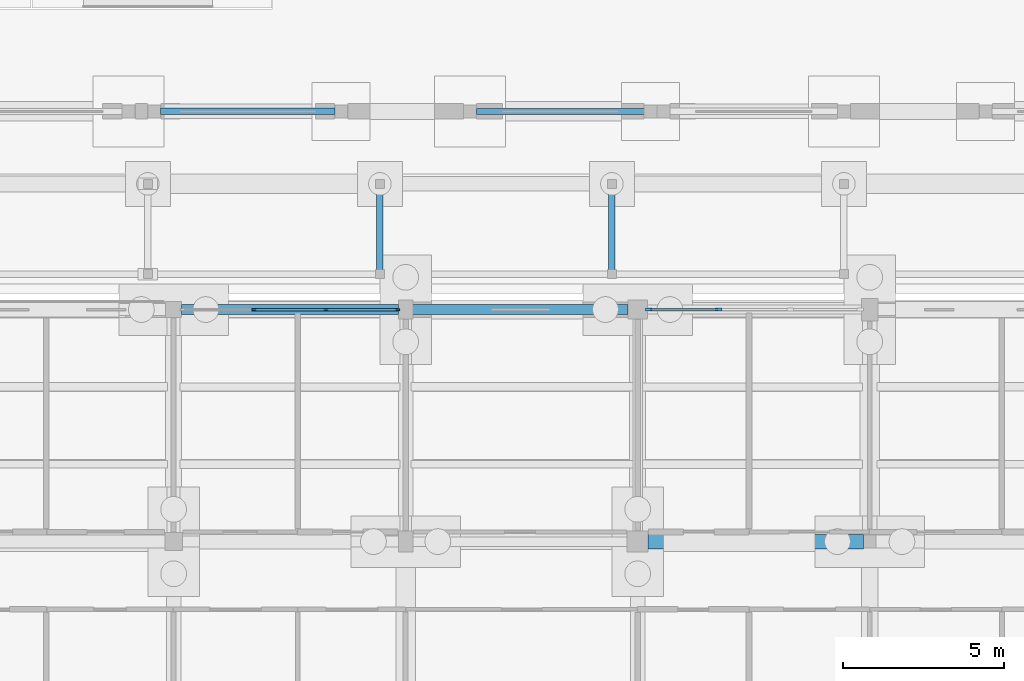
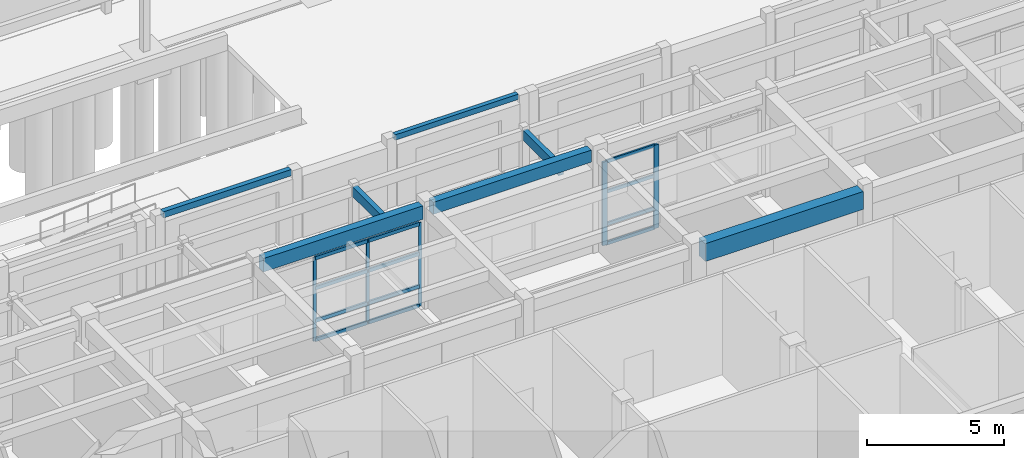
# One storey, part 45 of 143: 17 members, 7 beams, 2 elements without a shape of their own.
"""IFC4 building model written with IfcOpenShell, lengths in metres."""

from ifc_helpers import new_model, si_unit, direction, frame, origin, origin_2d, place, context, subcontext, project, spatial, rectangle, extrude, material, material_profile, profile_set, type_object, element, aggregate, save


model = new_model("IFC4")

# Units and contexts
model_context = context("Model", 3, precision=1e-05, world=origin(), true_north=direction((0.0, 1.0)))
body_context = subcontext(model_context, "Body", "Model", "MODEL_VIEW")
ifc_project = project(units=[si_unit("LENGTHUNIT", "METRE"), si_unit("AREAUNIT", "SQUARE_METRE"), si_unit("VOLUMEUNIT", "CUBIC_METRE"), si_unit("PLANEANGLEUNIT", "RADIAN"), si_unit("MASSUNIT", "GRAM", prefix="KILO")], contexts=[model_context])

# Site, building, storey
site_placement = place(None, origin())
site = spatial("IfcSite", under=ifc_project, at=site_placement, CompositionType="ELEMENT")
building_placement = place(site_placement, origin())
building = spatial("IfcBuilding", under=site, at=building_placement, Name="Steenspoor Specialist Clinic", CompositionType="ELEMENT")
storey_placement = place(building_placement, origin())
storey = spatial("IfcBuildingStorey", under=building, at=storey_placement, Name="L00", CompositionType="ELEMENT", Elevation=0.0)

# Beams
ifc_material_1 = material(Name="Glulam GL28h", Category="wood")
ifc_material_profile_1 = material_profile(ifc_material_1, rectangle(XDim=0.199951171875, YDim=0.43994140625, at=origin_2d()), Name="GL28H-200X440")
ifc_profile_set_1 = profile_set([ifc_material_profile_1], Name="Glulam GL28h")
beam_type_1 = type_object("IfcBeamType", Name="BM-GL-200X440", PredefinedType="BEAM", material=ifc_profile_set_1)
for number, where, z_axis, x_axis, name in (
    (1, (73.199951171875, 43.030029296875, 3.014892578125), (0.0, 1.0, 0.0), (-1.0, 0.0, 0.0), "BM-WK5-T-732"),
    (2, (80.39990234375, 43.030029296875, 3.014892578125), (0.0, 1.0, 0.0), (-1.0, 0.0, 0.0), "BM-WK5-T-804"),
):
    element("IfcBeam", number, at=place(storey_placement, frame(where, z_axis=z_axis, x_axis=x_axis)), inside=storey, type_object=beam_type_1, Name=name, PredefinedType="BEAM", context=body_context, shape_type="SweptSolid", body=[
        extrude(rectangle(XDim=0.199951171875, YDim=0.43994140625, at=origin_2d()), origin(), (0.0, 0.0, 1.0), 2.639892578125),
    ])
ifc_material_2 = material(Name="Concrete C35/45", Category="concrete")
ifc_material_profile_2 = material_profile(ifc_material_2, rectangle(XDim=0.449951171875, YDim=0.800048828125, at=origin_2d()), Name="RC-BM-450X800")
ifc_profile_set_2 = profile_set([ifc_material_profile_2], Name="Concrete C35/45")
beam_type_2 = type_object("IfcBeamType", Name="BM-RC-450X800", PredefinedType="BEAM", material=ifc_profile_set_2)
beam_1_placement = place(storey_placement, frame((81.52001953125, 34.64990234375, 4.14990234375), z_axis=(1.0, 0.0, 0.0), x_axis=(0.0, 1.0, 0.0)))
element("IfcBeam", 3, at=beam_1_placement, inside=storey, type_object=beam_type_2, Name="BM-V1-L00-X0025", PredefinedType="BEAM", context=body_context, shape_type="SweptSolid", body=[
    extrude(rectangle(XDim=0.449951171875, YDim=0.800048828125, at=origin_2d()), origin(), (0.0, 0.0, 1.0), 6.68505859375),
])

# Curtain wall, members
ifc_material_3 = material(Name="Thermally broken aluminium and low-emissivity glass", Category="aluminium")
curtain_wall_type_1 = type_object("IfcCurtainWallType", Name="CW-TYP-650X355", PredefinedType="USERDEFINED", material=ifc_material_3)
curtain_wall_1_placement = place(storey_placement, origin())
curtain_wall_1 = element("IfcCurtainWall", 4, at=curtain_wall_1_placement, inside=storey, type_object=curtain_wall_type_1, Name="Unitised Curtain Wall CW-V1-L00-010", ObjectType="UNITISED GLAZING", PredefinedType="USERDEFINED")
ifc_material_4 = material(Name="Thermally broken aluminium 6063-T6", Category="aluminium")
ifc_material_profile_3 = material_profile(ifc_material_4, rectangle(XDim=0.06005859375, YDim=0.135009765625, at=origin_2d()), Name="CWM-60X135")
ifc_profile_set_3 = profile_set([ifc_material_profile_3], Name="Thermally broken aluminium 6063-T6")
member_type_1 = type_object("IfcMemberType", Name="CW-MULL-60X135", PredefinedType="MULLION", material=ifc_profile_set_3)
member_1_placement = place(storey_placement, frame((69.291748046875, 41.85009765625, 0.0), z_axis=(0.0, 0.0, 1.0), x_axis=(0.0, 1.0, 0.0)))
member_1 = element("IfcMember", 5, at=member_1_placement, type_object=member_type_1, Name="CW-10 mullion 2", PredefinedType="MULLION", context=body_context, shape_type="SweptSolid", body=[
    extrude(rectangle(XDim=0.06005859375, YDim=0.135009765625, at=origin_2d()), origin(), (0.0, 0.0, 1.0), 3.72998046875),
])
member_2_placement = place(storey_placement, frame((71.533447265625, 41.85009765625, 0.0), z_axis=(0.0, 0.0, 1.0), x_axis=(0.0, 1.0, 0.0)))
member_2 = element("IfcMember", 6, at=member_2_placement, type_object=member_type_1, Name="CW-10 mullion 3", PredefinedType="MULLION", context=body_context, shape_type="SweptSolid", body=[
    extrude(rectangle(XDim=0.06005859375, YDim=0.135009765625, at=origin_2d()), origin(), (0.0, 0.0, 1.0), 3.72998046875),
])
member_3_placement = place(storey_placement, frame((73.7451171875, 41.85009765625, 0.0), z_axis=(0.0, 0.0, 1.0), x_axis=(0.0, 1.0, 0.0)))
member_3 = element("IfcMember", 7, at=member_3_placement, type_object=member_type_1, Name="CW-10 mullion 4", PredefinedType="MULLION", context=body_context, shape_type="SweptSolid", body=[
    extrude(rectangle(XDim=0.06005859375, YDim=0.135009765625, at=origin_2d()), origin(), (0.0, 0.0, 1.0), 3.72998046875),
])

curtain_wall_type_2 = type_object("IfcCurtainWallType", Name="CW-TYP-540X355", PredefinedType="USERDEFINED", material=ifc_material_3)
curtain_wall_2_placement = place(storey_placement, origin())
curtain_wall_2 = element("IfcCurtainWall", 8, at=curtain_wall_2_placement, inside=storey, type_object=curtain_wall_type_2, Name="Unitised Curtain Wall CW-V1-L00-011", ObjectType="UNITISED GLAZING", PredefinedType="USERDEFINED")
ifc_material_profile_4 = material_profile(ifc_material_4, rectangle(XDim=0.090087890625, YDim=0.199951171875, at=origin_2d()), Name="CWM-90X200")
ifc_profile_set_4 = profile_set([ifc_material_profile_4], Name="Thermally broken aluminium 6063-T6")
member_type_2 = type_object("IfcMemberType", Name="CW-MULL-90X200", PredefinedType="MULLION", material=ifc_profile_set_4)
member_4_placement = place(storey_placement, frame((81.544921875, 41.85009765625, 0.0), z_axis=(0.0, 0.0, 1.0), x_axis=(0.0, 1.0, 0.0)))
member_4 = element("IfcMember", 9, at=member_4_placement, type_object=member_type_2, Name="CW-11 mullion 1", PredefinedType="MULLION", context=body_context, shape_type="SweptSolid", body=[
    extrude(rectangle(XDim=0.090087890625, YDim=0.199951171875, at=origin_2d()), origin(), (0.0, 0.0, 1.0), 3.72998046875),
])
member_5_placement = place(storey_placement, frame((83.716552734375, 41.85009765625, 0.0), z_axis=(0.0, 0.0, 1.0), x_axis=(0.0, 1.0, 0.0)))
member_5 = element("IfcMember", 10, at=member_5_placement, type_object=member_type_2, Name="CW-11 mullion 2", PredefinedType="MULLION", context=body_context, shape_type="SweptSolid", body=[
    extrude(rectangle(XDim=0.090087890625, YDim=0.199951171875, at=origin_2d()), origin(), (0.0, 0.0, 1.0), 3.72998046875),
])
ifc_material_profile_5 = material_profile(ifc_material_4, rectangle(XDim=0.070068359375, YDim=0.14501953125, at=origin_2d()), Name="CWT-70X145")
ifc_profile_set_5 = profile_set([ifc_material_profile_5], Name="Thermally broken aluminium 6063-T6")
member_type_3 = type_object("IfcMemberType", Name="CW-TRAN-70X145", PredefinedType="USERDEFINED", material=ifc_profile_set_5)
member_6_placement = place(storey_placement, frame((81.590087890625, 41.85009765625, 0.034912109375), z_axis=(1.0, 0.0, 0.0), x_axis=(0.0, 1.0, 0.0)))
member_6 = element("IfcMember", 11, at=member_6_placement, type_object=member_type_3, Name="CW-11 transom 1.1", ObjectType="TRANSOM", PredefinedType="USERDEFINED", context=body_context, shape_type="SweptSolid", body=[
    extrude(rectangle(XDim=0.070068359375, YDim=0.14501953125, at=origin_2d()), origin(), (0.0, 0.0, 1.0), 2.08154296875),
])
member_7_placement = place(storey_placement, frame((81.590087890625, 41.85009765625, 0.89990234375), z_axis=(1.0, 0.0, 0.0), x_axis=(0.0, 1.0, 0.0)))
member_7 = element("IfcMember", 12, at=member_7_placement, type_object=member_type_3, Name="CW-11 transom 1.2", ObjectType="TRANSOM", PredefinedType="USERDEFINED", context=body_context, shape_type="SweptSolid", body=[
    extrude(rectangle(XDim=0.070068359375, YDim=0.14501953125, at=origin_2d()), origin(), (0.0, 0.0, 1.0), 2.08154296875),
])
member_8_placement = place(storey_placement, frame((81.590087890625, 41.85009765625, 2.35009765625), z_axis=(1.0, 0.0, 0.0), x_axis=(0.0, 1.0, 0.0)))
member_8 = element("IfcMember", 13, at=member_8_placement, type_object=member_type_3, Name="CW-11 transom 1.3", ObjectType="TRANSOM", PredefinedType="USERDEFINED", context=body_context, shape_type="SweptSolid", body=[
    extrude(rectangle(XDim=0.070068359375, YDim=0.14501953125, at=origin_2d()), origin(), (0.0, 0.0, 1.0), 2.08154296875),
])
member_9_placement = place(storey_placement, frame((81.590087890625, 41.85009765625, 3.695068359375), z_axis=(1.0, 0.0, 0.0), x_axis=(0.0, 1.0, 0.0)))
member_9 = element("IfcMember", 14, at=member_9_placement, type_object=member_type_3, Name="CW-11 transom 1.4", ObjectType="TRANSOM", PredefinedType="USERDEFINED", context=body_context, shape_type="SweptSolid", body=[
    extrude(rectangle(XDim=0.070068359375, YDim=0.14501953125, at=origin_2d()), origin(), (0.0, 0.0, 1.0), 2.08154296875),
])
aggregate(curtain_wall_2, [member_4, member_5, member_6, member_7, member_8, member_9])

# Member
ifc_material_profile_6 = material_profile(ifc_material_4, rectangle(XDim=0.080078125, YDim=0.159912109375, at=origin_2d()), Name="CWT-80X160")
ifc_profile_set_6 = profile_set([ifc_material_profile_6], Name="Thermally broken aluminium 6063-T6")
member_type_4 = type_object("IfcMemberType", Name="CW-TRAN-80X160", PredefinedType="USERDEFINED", material=ifc_profile_set_6)
member_10_placement = place(storey_placement, frame((69.32177734375, 41.85009765625, 0.0400390625), z_axis=(1.0, 0.0, 0.0), x_axis=(0.0, 1.0, 0.0)))
member_10 = element("IfcMember", 15, at=member_10_placement, type_object=member_type_4, Name="CW-10 transom 2.1", ObjectType="TRANSOM", PredefinedType="USERDEFINED", context=body_context, shape_type="SweptSolid", body=[
    extrude(rectangle(XDim=0.080078125, YDim=0.159912109375, at=origin_2d()), origin(), (0.0, 0.0, 1.0), 2.181640625),
])

member_11_placement = place(storey_placement, frame((69.32177734375, 41.85009765625, 0.89990234375), z_axis=(1.0, 0.0, 0.0), x_axis=(0.0, 1.0, 0.0)))
member_11 = element("IfcMember", 16, at=member_11_placement, type_object=member_type_4, Name="CW-10 transom 2.2", ObjectType="TRANSOM", PredefinedType="USERDEFINED", context=body_context, shape_type="SweptSolid", body=[
    extrude(rectangle(XDim=0.080078125, YDim=0.159912109375, at=origin_2d()), origin(), (0.0, 0.0, 1.0), 2.181640625),
])

member_12_placement = place(storey_placement, frame((69.32177734375, 41.85009765625, 2.35009765625), z_axis=(1.0, 0.0, 0.0), x_axis=(0.0, 1.0, 0.0)))
member_12 = element("IfcMember", 17, at=member_12_placement, type_object=member_type_4, Name="CW-10 transom 2.3", ObjectType="TRANSOM", PredefinedType="USERDEFINED", context=body_context, shape_type="SweptSolid", body=[
    extrude(rectangle(XDim=0.080078125, YDim=0.159912109375, at=origin_2d()), origin(), (0.0, 0.0, 1.0), 2.181640625),
])

member_13_placement = place(storey_placement, frame((69.32177734375, 41.85009765625, 3.68994140625), z_axis=(1.0, 0.0, 0.0), x_axis=(0.0, 1.0, 0.0)))
member_13 = element("IfcMember", 18, at=member_13_placement, type_object=member_type_4, Name="CW-10 transom 2.4", ObjectType="TRANSOM", PredefinedType="USERDEFINED", context=body_context, shape_type="SweptSolid", body=[
    extrude(rectangle(XDim=0.080078125, YDim=0.159912109375, at=origin_2d()), origin(), (0.0, 0.0, 1.0), 2.181640625),
])

member_14_placement = place(storey_placement, frame((71.563232421875, 41.85009765625, 0.0400390625), z_axis=(1.0, 0.0, 0.0), x_axis=(0.0, 1.0, 0.0)))
member_14 = element("IfcMember", 19, at=member_14_placement, type_object=member_type_4, Name="CW-10 transom 3.1", ObjectType="TRANSOM", PredefinedType="USERDEFINED", context=body_context, shape_type="SweptSolid", body=[
    extrude(rectangle(XDim=0.080078125, YDim=0.159912109375, at=origin_2d()), origin(), (0.0, 0.0, 1.0), 2.15185546875),
])

member_15_placement = place(storey_placement, frame((71.563232421875, 41.85009765625, 0.89990234375), z_axis=(1.0, 0.0, 0.0), x_axis=(0.0, 1.0, 0.0)))
member_15 = element("IfcMember", 20, at=member_15_placement, type_object=member_type_4, Name="CW-10 transom 3.2", ObjectType="TRANSOM", PredefinedType="USERDEFINED", context=body_context, shape_type="SweptSolid", body=[
    extrude(rectangle(XDim=0.080078125, YDim=0.159912109375, at=origin_2d()), origin(), (0.0, 0.0, 1.0), 2.15185546875),
])

member_16_placement = place(storey_placement, frame((71.563232421875, 41.85009765625, 2.35009765625), z_axis=(1.0, 0.0, 0.0), x_axis=(0.0, 1.0, 0.0)))
member_16 = element("IfcMember", 21, at=member_16_placement, type_object=member_type_4, Name="CW-10 transom 3.3", ObjectType="TRANSOM", PredefinedType="USERDEFINED", context=body_context, shape_type="SweptSolid", body=[
    extrude(rectangle(XDim=0.080078125, YDim=0.159912109375, at=origin_2d()), origin(), (0.0, 0.0, 1.0), 2.15185546875),
])

member_17_placement = place(storey_placement, frame((71.563232421875, 41.85009765625, 3.68994140625), z_axis=(1.0, 0.0, 0.0), x_axis=(0.0, 1.0, 0.0)))
member_17 = element("IfcMember", 22, at=member_17_placement, type_object=member_type_4, Name="CW-10 transom 3.4", ObjectType="TRANSOM", PredefinedType="USERDEFINED", context=body_context, shape_type="SweptSolid", body=[
    extrude(rectangle(XDim=0.080078125, YDim=0.159912109375, at=origin_2d()), origin(), (0.0, 0.0, 1.0), 2.15185546875),
])

aggregate(curtain_wall_1, [member_1, member_2, member_3, member_10, member_11, member_12, member_13, member_14, member_15, member_16, member_17])

# Beams
ifc_material_profile_7 = material_profile(ifc_material_2, rectangle(XDim=0.179931640625, YDim=0.239990234375, at=origin_2d()), Name="RC-LN-180X240")
ifc_profile_set_7 = profile_set([ifc_material_profile_7], Name="Concrete C35/45")
beam_type_3 = type_object("IfcBeamType", Name="LN-RC-180X240", PredefinedType="LINTEL", material=ifc_profile_set_7)
beam_2_placement = place(storey_placement, frame((76.195068359375, 48.0, 2.97998046875), z_axis=(1.0, 0.0, 0.0), x_axis=(0.0, 1.0, 0.0)))
element("IfcBeam", 23, at=beam_2_placement, inside=storey, type_object=beam_type_3, Name="Portal Opening Lintel GT04", PredefinedType="LINTEL", context=body_context, shape_type="SweptSolid", body=[
    extrude(rectangle(XDim=0.179931640625, YDim=0.239990234375, at=origin_2d()), origin(), (0.0, 0.0, 1.0), 5.2099609375),
])
ifc_material_profile_8 = material_profile(ifc_material_2, rectangle(XDim=0.199951171875, YDim=0.280029296875, at=origin_2d()), Name="RC-LN-200X280")
ifc_profile_set_8 = profile_set([ifc_material_profile_8], Name="Concrete C35/45")
beam_type_4 = type_object("IfcBeamType", Name="LN-RC-200X280", PredefinedType="LINTEL", material=ifc_profile_set_8)
beam_3_placement = place(storey_placement, frame((66.39501953125, 48.0, 2.9599609375), z_axis=(1.0, 0.0, 0.0), x_axis=(0.0, 1.0, 0.0)))
element("IfcBeam", 24, at=beam_3_placement, inside=storey, type_object=beam_type_4, Name="Portal Opening Lintel GT03", PredefinedType="LINTEL", context=body_context, shape_type="SweptSolid", body=[
    extrude(rectangle(XDim=0.199951171875, YDim=0.280029296875, at=origin_2d()), origin(), (0.0, 0.0, 1.0), 5.409912109375),
])
ifc_material_profile_9 = material_profile(ifc_material_2, rectangle(XDim=0.320068359375, YDim=0.5400390625, at=origin_2d()), Name="RC-SP-320X540")
ifc_profile_set_9 = profile_set([ifc_material_profile_9], Name="Concrete C35/45")
beam_type_5 = type_object("IfcBeamType", Name="SP-RC-320X540", PredefinedType="SPANDREL", material=ifc_profile_set_9)
beam_4_placement = place(storey_placement, frame((74.219970703125, 41.85009765625, 4.280029296875), z_axis=(1.0, 0.0, 0.0), x_axis=(0.0, 1.0, 0.0)))
element("IfcBeam", 25, at=beam_4_placement, inside=storey, type_object=beam_type_5, Name="BM-V1-L00-X0034", PredefinedType="SPANDREL", context=body_context, shape_type="SweptSolid", body=[
    extrude(rectangle(XDim=0.320068359375, YDim=0.5400390625, at=origin_2d()), origin(), (0.0, 0.0, 1.0), 6.68505859375),
])
ifc_material_profile_10 = material_profile(ifc_material_2, rectangle(XDim=0.320068359375, YDim=0.60009765625, at=origin_2d()), Name="RC-SP-320X600")
ifc_profile_set_10 = profile_set([ifc_material_profile_10], Name="Concrete C35/45")
beam_type_6 = type_object("IfcBeamType", Name="SP-RC-320X600", PredefinedType="SPANDREL", material=ifc_profile_set_10)
beam_5_placement = place(storey_placement, frame((67.044921875, 41.85009765625, 4.25), z_axis=(1.0, 0.0, 0.0), x_axis=(0.0, 1.0, 0.0)))
element("IfcBeam", 26, at=beam_5_placement, inside=storey, type_object=beam_type_6, Name="BM-V1-L00-X0033", PredefinedType="SPANDREL", context=body_context, shape_type="SweptSolid", body=[
    extrude(rectangle(XDim=0.320068359375, YDim=0.60009765625, at=origin_2d()), origin(), (0.0, 0.0, 1.0), 6.735107421875),
])

save(model, "model.ifc")
